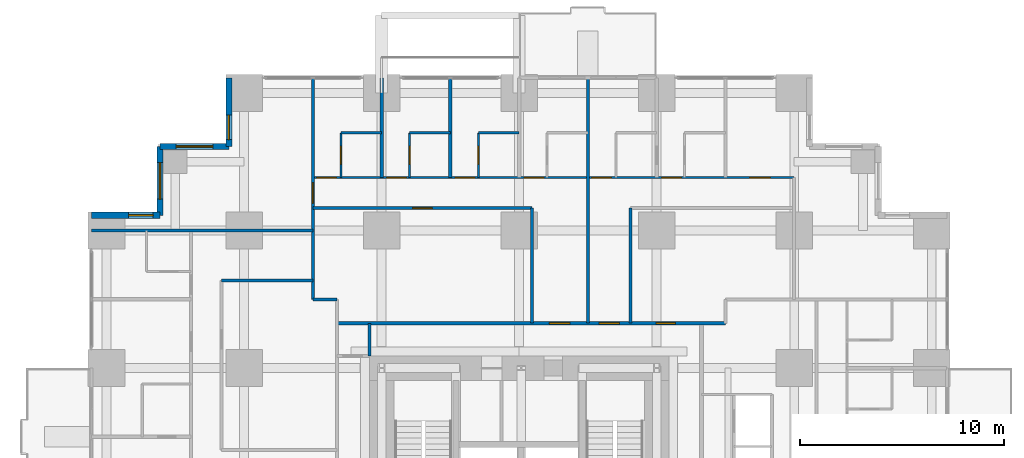
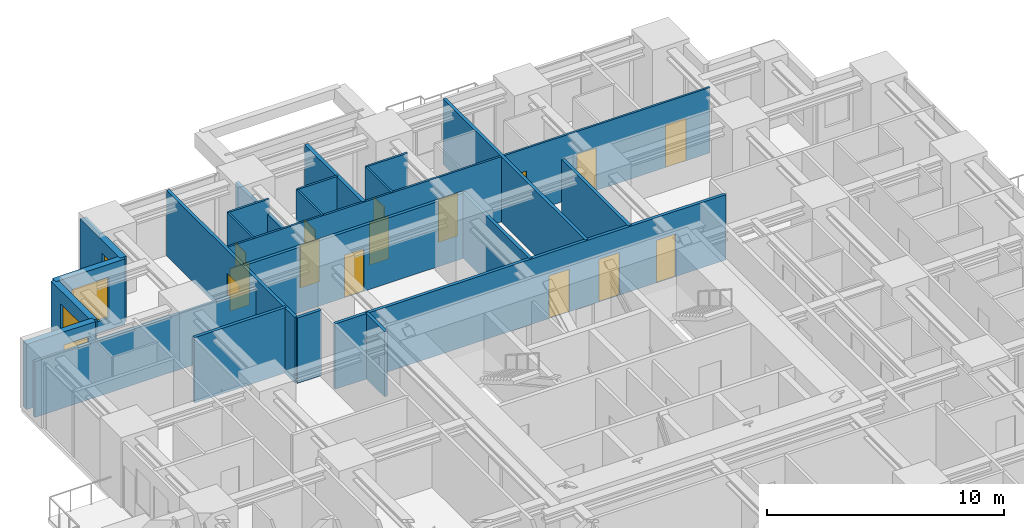
# One storey, part 12 of 14: 23 walls, 15 doors, 4 windows, 19 openings.
"""IFC4 building model written with IfcOpenShell, lengths in metres."""

from ifc_helpers import new_model, si_unit, direction, frame, frame_2d, origin, place, context, subcontext, project, spatial, rectangle, extrude, material, layer, layer_set, type_object, element, fill, save


model = new_model("IFC4")

# Units and contexts
model_context = context("Model", 3, precision=1e-05, world=origin(), true_north=direction((0.0, 1.0)))
body_context = subcontext(model_context, "Body", "Model", "MODEL_VIEW")
ifc_project = project(units=[si_unit("LENGTHUNIT", "METRE"), si_unit("AREAUNIT", "SQUARE_METRE"), si_unit("VOLUMEUNIT", "CUBIC_METRE"), si_unit("PLANEANGLEUNIT", "RADIAN"), si_unit("MASSUNIT", "GRAM", prefix="KILO")], contexts=[model_context])

# Site, building, storey
site_placement = place(None, origin())
site = spatial("IfcSite", under=ifc_project, at=site_placement, CompositionType="ELEMENT")
building_placement = place(site_placement, origin())
building = spatial("IfcBuilding", under=site, at=building_placement, Name="Nyansa Garden Tower", CompositionType="ELEMENT")
storey_placement = place(building_placement, frame((0.0, 0.0, 50.39990234375)))
storey = spatial("IfcBuildingStorey", under=building, at=storey_placement, Name="L13", CompositionType="ELEMENT", Elevation=50.39990234375)

# Walls
ifc_material_1 = material(Name="Dense blockwork, plastered both sides, 55 dB", Category="masonry")
ifc_layer_1 = layer(ifc_material_1, 0.175048828125)
ifc_layer_set_1 = layer_set([ifc_layer_1], Name="Acoustic party wall PW175")
wall_type_1 = type_object("IfcWallType", Name="Acoustic party wall PW175", PredefinedType="PARTITIONING", material=ifc_layer_set_1)
wall_1_placement = place(storey_placement, frame((13.5, 36.35009765625, 0.0), z_axis=(0.0, 0.0, 1.0), x_axis=(0.0, 1.0, 0.0)))
element("IfcWall", 1, at=wall_1_placement, inside=storey, type_object=wall_type_1, Name="Party wall", PredefinedType="PARTITIONING", context=body_context, shape_type="SweptSolid", body=[
    extrude(rectangle(XDim=4.8837890625, YDim=0.175048828125, at=frame_2d((2.44189453125, 0.0))), origin(), (0.0, 0.0, 1.0), 2.610107421875),
])
wall_2_placement = place(storey_placement, frame((16.875, 36.35009765625, 0.0), z_axis=(0.0, 0.0, 1.0), x_axis=(0.0, 1.0, 0.0)))
element("IfcWall", 2, at=wall_2_placement, inside=storey, type_object=wall_type_1, Name="Party wall", PredefinedType="PARTITIONING", context=body_context, shape_type="SweptSolid", body=[
    extrude(rectangle(XDim=4.8837890625, YDim=0.175048828125, at=frame_2d((2.44189453125, 0.0))), origin(), (0.0, 0.0, 1.0), 3.375),
])
ifc_material_2 = material(Name="Blockwork, plastered both sides", Category="masonry")
ifc_layer_2 = layer(ifc_material_2, 0.14990234375)
ifc_layer_set_2 = layer_set([ifc_layer_2], Name="Partition PW150")
wall_type_2 = type_object("IfcWallType", Name="Partition PW150", PredefinedType="PARTITIONING", material=ifc_layer_set_2)
wall_3_placement = place(storey_placement, frame((-0.73388671875, 33.75, 0.0), z_axis=(0.0, 0.0, 1.0), x_axis=(1.0, 0.0, 0.0)))
element("IfcWall", 3, at=wall_3_placement, inside=storey, type_object=wall_type_2, Name="Partition", PredefinedType="PARTITIONING", context=body_context, shape_type="SweptSolid", body=[
    extrude(rectangle(XDim=10.85888671875, YDim=0.14990234375, at=frame_2d((5.429443359375, 0.0))), origin(), (0.0, 0.0, 1.0), 2.877197265625),
])
wall_4_placement = place(storey_placement, frame((5.64990234375, 31.300048828125, 0.0), z_axis=(0.0, 0.0, 1.0), x_axis=(1.0, 0.0, 0.0)))
element("IfcWall", 4, at=wall_4_placement, inside=storey, type_object=wall_type_2, Name="Partition", PredefinedType="PARTITIONING", context=body_context, shape_type="SweptSolid", body=[
    extrude(rectangle(XDim=4.47509765625, YDim=0.14990234375, at=frame_2d((2.237548828125, 0.0))), origin(), (0.0, 0.0, 1.0), 3.375),
])

# Wall, opening, door
wall_5_placement = place(storey_placement, frame((10.125, 30.375, 0.0), z_axis=(0.0, 0.0, 1.0), x_axis=(0.0, 1.0, 0.0)))
wall_5 = element("IfcWall", 5, at=wall_5_placement, inside=storey, type_object=wall_type_2, Name="Partition", PredefinedType="PARTITIONING", context=body_context, shape_type="SweptSolid", body=[
    extrude(rectangle(XDim=10.85888671875, YDim=0.14990234375, at=frame_2d((5.429443359375, 0.0))), origin(), (0.0, 0.0, 1.0), 3.375),
])
opening_1_placement = place(wall_5_placement, frame((4.72509765625, 0.0, 0.0)))
opening_1 = element("IfcOpeningElement", 6, at=opening_1_placement, cuts=wall_5, Name="Opening D03", PredefinedType="OPENING", context=body_context, shape_type="SweptSolid", body=[
    extrude(rectangle(XDim=1.0, YDim=2.199951171875, at=frame_2d((0.5, 1.10009765625))), frame((0.0, 0.0849609375, 0.0), z_axis=(0.0, -1.0, 0.0), x_axis=(1.0, 0.0, 0.0)), (0.0, 0.0, 1.0), 0.169921875),
])
ifc_material_3 = material(Name="Timber flush door, 60 minute fire resisting", Category="wood")
door_type_1 = type_object("IfcDoorType", Name="Cluster entrance door D03 1000x2200", OperationType="SINGLE_SWING_LEFT", PredefinedType="DOOR", material=ifc_material_3)
door_1_placement = place(opening_1_placement, origin())
door_1 = element("IfcDoor", 7, at=door_1_placement, inside=storey, type_object=door_type_1, Name="Door L13-066", OperationType="SINGLE_SWING_LEFT", OverallHeight=2.199951171875, OverallWidth=1.0, PredefinedType="DOOR", context=body_context, shape_type="SweptSolid", body=[
    extrude(rectangle(XDim=1.0, YDim=2.199951171875, at=frame_2d((0.5, 1.10009765625))), frame((0.0, 0.02490234375, 0.0), z_axis=(0.0, -1.0, 0.0), x_axis=(1.0, 0.0, 0.0)), (0.0, 0.0, 1.0), 0.050048828125),
])
fill(opening_1, door_1)

# Wall
wall_6_placement = place(storey_placement, frame((10.125, 30.375, 0.0), z_axis=(0.0, 0.0, 1.0), x_axis=(1.0, 0.0, 0.0)))
element("IfcWall", 8, at=wall_6_placement, inside=storey, type_object=wall_type_2, Name="Partition", PredefinedType="PARTITIONING", context=body_context, shape_type="SweptSolid", body=[
    extrude(rectangle(XDim=1.175048828125, YDim=0.14990234375, at=frame_2d((0.58740234375, 0.0))), origin(), (0.0, 0.0, 1.0), 3.375),
])

# Wall, opening, door
wall_7_placement = place(storey_placement, frame((10.125, 34.85009765625, 0.0), z_axis=(0.0, 0.0, 1.0), x_axis=(1.0, 0.0, 0.0)))
wall_7 = element("IfcWall", 9, at=wall_7_placement, inside=storey, type_object=wall_type_2, Name="Partition", PredefinedType="PARTITIONING", context=body_context, shape_type="SweptSolid", body=[
    extrude(rectangle(XDim=10.762451171875, YDim=0.14990234375, at=frame_2d((5.38134765625, 0.0))), origin(), (0.0, 0.0, 1.0), 3.375),
])
opening_2_placement = place(wall_7_placement, frame((4.89990234375, 0.0, 0.0)))
opening_2 = element("IfcOpeningElement", 10, at=opening_2_placement, cuts=wall_7, Name="Opening D01", PredefinedType="OPENING", context=body_context, shape_type="SweptSolid", body=[
    extrude(rectangle(XDim=0.949951171875, YDim=2.199951171875, at=frame_2d((0.47509765625, 1.10009765625))), frame((0.0, 0.0849609375, 0.0), z_axis=(0.0, -1.0, 0.0), x_axis=(1.0, 0.0, 0.0)), (0.0, 0.0, 1.0), 0.169921875),
])
ifc_material_4 = material(Name="Timber flush door, 30 minute fire resisting", Category="wood")
door_type_2 = type_object("IfcDoorType", Name="Bedroom door D01 950x2200", OperationType="SINGLE_SWING_LEFT", PredefinedType="DOOR", material=ifc_material_4)
door_2_placement = place(opening_2_placement, origin())
door_2 = element("IfcDoor", 11, at=door_2_placement, inside=storey, type_object=door_type_2, Name="Door L13-065", OperationType="SINGLE_SWING_LEFT", OverallHeight=2.199951171875, OverallWidth=0.949951171875, PredefinedType="DOOR", context=body_context, shape_type="SweptSolid", body=[
    extrude(rectangle(XDim=0.949951171875, YDim=2.199951171875, at=frame_2d((0.47509765625, 1.10009765625))), frame((0.0, 0.02490234375, 0.0), z_axis=(0.0, -1.0, 0.0), x_axis=(1.0, 0.0, 0.0)), (0.0, 0.0, 1.0), 0.050048828125),
])
fill(opening_2, door_2)

# Wall, openings, doors
wall_8_placement = place(storey_placement, frame((11.300048828125, 29.199951171875, 0.0), z_axis=(0.0, 0.0, 1.0), x_axis=(1.0, 0.0, 0.0)))
wall_8 = element("IfcWall", 12, at=wall_8_placement, inside=storey, type_object=wall_type_2, Name="Partition", PredefinedType="PARTITIONING", context=body_context, shape_type="SweptSolid", body=[
    extrude(rectangle(XDim=19.074951171875, YDim=0.14990234375, at=frame_2d((9.53759765625, 0.0))), origin(), (0.0, 0.0, 1.0), 3.375),
])
opening_3_placement = place(wall_8_placement, frame((12.875, 0.0, 0.0)))
opening_3 = element("IfcOpeningElement", 13, at=opening_3_placement, cuts=wall_8, Name="Opening D03", PredefinedType="OPENING", context=body_context, shape_type="SweptSolid", body=[
    extrude(rectangle(XDim=1.0, YDim=2.199951171875, at=frame_2d((0.5, 1.10009765625))), frame((0.0, 0.0849609375, 0.0), z_axis=(0.0, -1.0, 0.0), x_axis=(1.0, 0.0, 0.0)), (0.0, 0.0, 1.0), 0.169921875),
])
opening_4_placement = place(wall_8_placement, frame((10.4375, 0.0, 0.0)))
opening_4 = element("IfcOpeningElement", 14, at=opening_4_placement, cuts=wall_8, Name="Opening D03", PredefinedType="OPENING", context=body_context, shape_type="SweptSolid", body=[
    extrude(rectangle(XDim=1.0, YDim=2.199951171875, at=frame_2d((0.5, 1.10009765625))), frame((0.0, 0.0849609375, 0.0), z_axis=(0.0, -1.0, 0.0), x_axis=(1.0, 0.0, 0.0)), (0.0, 0.0, 1.0), 0.169921875),
])
opening_5_placement = place(wall_8_placement, frame((15.675048828125, 0.0, 0.0)))
opening_5 = element("IfcOpeningElement", 15, at=opening_5_placement, cuts=wall_8, Name="Opening D01", PredefinedType="OPENING", context=body_context, shape_type="SweptSolid", body=[
    extrude(rectangle(XDim=0.949951171875, YDim=2.199951171875, at=frame_2d((0.47509765625, 1.10009765625))), frame((0.0, 0.0849609375, 0.0), z_axis=(0.0, -1.0, 0.0), x_axis=(1.0, 0.0, 0.0)), (0.0, 0.0, 1.0), 0.169921875),
])
door_3_placement = place(opening_5_placement, origin())
door_3 = element("IfcDoor", 16, at=door_3_placement, inside=storey, type_object=door_type_2, Name="Door L13-064", OperationType="SINGLE_SWING_LEFT", OverallHeight=2.199951171875, OverallWidth=0.949951171875, PredefinedType="DOOR", context=body_context, shape_type="SweptSolid", body=[
    extrude(rectangle(XDim=0.949951171875, YDim=2.199951171875, at=frame_2d((0.47509765625, 1.10009765625))), frame((0.0, 0.02490234375, 0.0), z_axis=(0.0, -1.0, 0.0), x_axis=(1.0, 0.0, 0.0)), (0.0, 0.0, 1.0), 0.050048828125),
])
fill(opening_5, door_3)
door_4_placement = place(opening_3_placement, origin())
door_4 = element("IfcDoor", 17, at=door_4_placement, inside=storey, type_object=door_type_1, Name="Door L13-054", OperationType="SINGLE_SWING_LEFT", OverallHeight=2.199951171875, OverallWidth=1.0, PredefinedType="DOOR", context=body_context, shape_type="SweptSolid", body=[
    extrude(rectangle(XDim=1.0, YDim=2.199951171875, at=frame_2d((0.5, 1.10009765625))), frame((0.0, 0.02490234375, 0.0), z_axis=(0.0, -1.0, 0.0), x_axis=(1.0, 0.0, 0.0)), (0.0, 0.0, 1.0), 0.050048828125),
])
fill(opening_3, door_4)
door_5_placement = place(opening_4_placement, origin())
door_5 = element("IfcDoor", 18, at=door_5_placement, inside=storey, type_object=door_type_1, Name="Door L13-063", OperationType="SINGLE_SWING_LEFT", OverallHeight=2.199951171875, OverallWidth=1.0, PredefinedType="DOOR", context=body_context, shape_type="SweptSolid", body=[
    extrude(rectangle(XDim=1.0, YDim=2.199951171875, at=frame_2d((0.5, 1.10009765625))), frame((0.0, 0.02490234375, 0.0), z_axis=(0.0, -1.0, 0.0), x_axis=(1.0, 0.0, 0.0)), (0.0, 0.0, 1.0), 0.050048828125),
])
fill(opening_4, door_5)

# Walls
wall_9_placement = place(storey_placement, frame((12.89990234375, 27.60009765625, 0.0), z_axis=(0.0, 0.0, 1.0), x_axis=(0.0, 1.0, 0.0)))
element("IfcWall", 19, at=wall_9_placement, inside=storey, type_object=wall_type_2, Name="Partition", PredefinedType="PARTITIONING", context=body_context, shape_type="SweptSolid", body=[
    extrude(rectangle(XDim=1.599853515625, YDim=0.14990234375, at=frame_2d((0.7998046875, 0.0))), origin(), (0.0, 0.0, 1.0), 3.375),
])
wall_10_placement = place(storey_placement, frame((20.886962890625, 29.199951171875, 0.0), z_axis=(0.0, 0.0, 1.0), x_axis=(0.0, 1.0, 0.0)))
element("IfcWall", 20, at=wall_10_placement, inside=storey, type_object=wall_type_2, Name="Partition", PredefinedType="PARTITIONING", context=body_context, shape_type="SweptSolid", body=[
    extrude(rectangle(XDim=5.650146484375, YDim=0.14990234375, at=frame_2d((2.8251953125, 0.0))), origin(), (0.0, 0.0, 1.0), 3.375),
])
wall_11_placement = place(storey_placement, frame((23.625, 29.199951171875, 0.0), z_axis=(0.0, 0.0, 1.0), x_axis=(0.0, 1.0, 0.0)))
element("IfcWall", 21, at=wall_11_placement, inside=storey, type_object=wall_type_2, Name="Partition", PredefinedType="PARTITIONING", context=body_context, shape_type="SweptSolid", body=[
    extrude(rectangle(XDim=12.033935546875, YDim=0.14990234375, at=frame_2d((6.01708984375, 0.0))), origin(), (0.0, 0.0, 1.0), 3.375),
])
wall_12_placement = place(storey_placement, frame((25.72509765625, 29.199951171875, 0.0), z_axis=(0.0, 0.0, 1.0), x_axis=(0.0, 1.0, 0.0)))
element("IfcWall", 22, at=wall_12_placement, inside=storey, type_object=wall_type_2, Name="Partition", PredefinedType="PARTITIONING", context=body_context, shape_type="SweptSolid", body=[
    extrude(rectangle(XDim=5.650146484375, YDim=0.14990234375, at=frame_2d((2.8251953125, 0.0))), origin(), (0.0, 0.0, 1.0), 3.375),
])

# Wall, opening, window
ifc_material_5 = material(Name="Turquoise glazed tile on concrete blockwork", Category="masonry")
ifc_layer_3 = layer(ifc_material_5, 0.300048828125)
ifc_layer_set_3 = layer_set([ifc_layer_3], Name="Tiled corner wall TW300")
wall_type_3 = type_object("IfcWallType", Name="Tiled corner wall TW300", PredefinedType="SOLIDWALL", material=ifc_layer_set_3)
wall_13_placement = place(storey_placement, frame((6.0, 41.25, 0.0), z_axis=(0.0, 0.0, 1.0), x_axis=(0.0, -1.0, 0.0)))
wall_13 = element("IfcWall", 23, at=wall_13_placement, inside=storey, type_object=wall_type_3, Name="Tiled corner wall L13", PredefinedType="SOLIDWALL", context=body_context, shape_type="SweptSolid", body=[
    extrude(rectangle(XDim=3.375, YDim=0.300048828125, at=frame_2d((1.6875, 0.0))), origin(), (0.0, 0.0, 1.0), 3.375),
])
opening_6_placement = place(wall_13_placement, frame((1.83251953125, 0.0, 0.89990234375)))
opening_6 = element("IfcOpeningElement", 24, at=opening_6_placement, cuts=wall_13, Name="Opening W4", PredefinedType="OPENING", context=body_context, shape_type="SweptSolid", body=[
    extrude(rectangle(XDim=1.199951171875, YDim=1.800048828125, at=frame_2d((0.60009765625, 0.89990234375))), frame((0.0, 0.159912109375, 0.0), z_axis=(0.0, -1.0, 0.0), x_axis=(1.0, 0.0, 0.0)), (0.0, 0.0, 1.0), 0.320068359375),
])
ifc_material_6 = material(Name="Black aluminium frame, dark tinted double glazing", Category="aluminium")
window_type_1 = type_object("IfcWindowType", Name="Window W4 1200x1800", PartitioningType="SINGLE_PANEL", PredefinedType="WINDOW", material=ifc_material_6)
window_1_placement = place(opening_6_placement, origin())
window_1 = element("IfcWindow", 25, at=window_1_placement, inside=storey, type_object=window_type_1, Name="Corner window L13", OverallHeight=1.800048828125, OverallWidth=1.199951171875, PartitioningType="SINGLE_PANEL", PredefinedType="WINDOW", context=body_context, shape_type="SweptSolid", body=[
    extrude(rectangle(XDim=1.199951171875, YDim=1.800048828125, at=frame_2d((0.60009765625, 0.89990234375))), frame((0.0, 0.030029296875, 0.0), z_axis=(0.0, -1.0, 0.0), x_axis=(1.0, 0.0, 0.0)), (0.0, 0.0, 1.0), 0.06005859375),
])
fill(opening_6, window_1)

wall_14_placement = place(storey_placement, frame((6.0, 37.875, 0.0), z_axis=(0.0, 0.0, 1.0), x_axis=(-1.0, 0.0, 0.0)))
wall_14 = element("IfcWall", 26, at=wall_14_placement, inside=storey, type_object=wall_type_3, Name="Tiled corner wall L13", PredefinedType="SOLIDWALL", context=body_context, shape_type="SweptSolid", body=[
    extrude(rectangle(XDim=3.375, YDim=0.300048828125, at=frame_2d((1.6875, 0.0))), origin(), (0.0, 0.0, 1.0), 3.375),
])
opening_7_placement = place(wall_14_placement, frame((0.78759765625, 0.0, 0.60009765625)))
opening_7 = element("IfcOpeningElement", 27, at=opening_7_placement, cuts=wall_14, Name="Opening W2", PredefinedType="OPENING", context=body_context, shape_type="SweptSolid", body=[
    extrude(rectangle(XDim=1.800048828125, YDim=2.10009765625, at=frame_2d((0.89990234375, 1.050048828125))), frame((0.0, 0.159912109375, 0.0), z_axis=(0.0, -1.0, 0.0), x_axis=(1.0, 0.0, 0.0)), (0.0, 0.0, 1.0), 0.320068359375),
])
ifc_material_7 = material(Name="Black aluminium frame, dark tinted double glazing", Category="aluminium")
window_type_2 = type_object("IfcWindowType", Name="Window W2 1800x2100", PartitioningType="SINGLE_PANEL", PredefinedType="WINDOW", material=ifc_material_7)
window_2_placement = place(opening_7_placement, origin())
window_2 = element("IfcWindow", 28, at=window_2_placement, inside=storey, type_object=window_type_2, Name="Corner window L13", OverallHeight=2.10009765625, OverallWidth=1.800048828125, PartitioningType="SINGLE_PANEL", PredefinedType="WINDOW", context=body_context, shape_type="SweptSolid", body=[
    extrude(rectangle(XDim=1.800048828125, YDim=2.10009765625, at=frame_2d((0.89990234375, 1.050048828125))), frame((0.0, 0.030029296875, 0.0), z_axis=(0.0, -1.0, 0.0), x_axis=(1.0, 0.0, 0.0)), (0.0, 0.0, 1.0), 0.06005859375),
])
fill(opening_7, window_2)

wall_15_placement = place(storey_placement, frame((2.625, 37.875, 0.0), z_axis=(0.0, 0.0, 1.0), x_axis=(0.0, -1.0, 0.0)))
wall_15 = element("IfcWall", 29, at=wall_15_placement, inside=storey, type_object=wall_type_3, Name="Tiled corner wall L13", PredefinedType="SOLIDWALL", context=body_context, shape_type="SweptSolid", body=[
    extrude(rectangle(XDim=3.375, YDim=0.300048828125, at=frame_2d((1.6875, 0.0))), origin(), (0.0, 0.0, 1.0), 3.375),
])
opening_8_placement = place(wall_15_placement, frame((0.78759765625, 0.0, 0.60009765625)))
opening_8 = element("IfcOpeningElement", 30, at=opening_8_placement, cuts=wall_15, Name="Opening W2", PredefinedType="OPENING", context=body_context, shape_type="SweptSolid", body=[
    extrude(rectangle(XDim=1.800048828125, YDim=2.10009765625, at=frame_2d((0.89990234375, 1.050048828125))), frame((0.0, 0.159912109375, 0.0), z_axis=(0.0, -1.0, 0.0), x_axis=(1.0, 0.0, 0.0)), (0.0, 0.0, 1.0), 0.320068359375),
])
window_3_placement = place(opening_8_placement, origin())
window_3 = element("IfcWindow", 31, at=window_3_placement, inside=storey, type_object=window_type_2, Name="Corner window L13", OverallHeight=2.10009765625, OverallWidth=1.800048828125, PartitioningType="SINGLE_PANEL", PredefinedType="WINDOW", context=body_context, shape_type="SweptSolid", body=[
    extrude(rectangle(XDim=1.800048828125, YDim=2.10009765625, at=frame_2d((0.89990234375, 1.050048828125))), frame((0.0, 0.030029296875, 0.0), z_axis=(0.0, -1.0, 0.0), x_axis=(1.0, 0.0, 0.0)), (0.0, 0.0, 1.0), 0.06005859375),
])
fill(opening_8, window_3)

wall_16_placement = place(storey_placement, frame((2.625, 34.5, 0.0), z_axis=(0.0, 0.0, 1.0), x_axis=(-1.0, 0.0, 0.0)))
wall_16 = element("IfcWall", 32, at=wall_16_placement, inside=storey, type_object=wall_type_3, Name="Tiled corner wall L13", PredefinedType="SOLIDWALL", context=body_context, shape_type="SweptSolid", body=[
    extrude(rectangle(XDim=3.375, YDim=0.300048828125, at=frame_2d((1.6875, 0.0))), origin(), (0.0, 0.0, 1.0), 3.375),
])
opening_9_placement = place(wall_16_placement, frame((0.342529296875, 0.0, 0.89990234375)))
opening_9 = element("IfcOpeningElement", 33, at=opening_9_placement, cuts=wall_16, Name="Opening W4", PredefinedType="OPENING", context=body_context, shape_type="SweptSolid", body=[
    extrude(rectangle(XDim=1.199951171875, YDim=1.800048828125, at=frame_2d((0.60009765625, 0.89990234375))), frame((0.0, 0.159912109375, 0.0), z_axis=(0.0, -1.0, 0.0), x_axis=(1.0, 0.0, 0.0)), (0.0, 0.0, 1.0), 0.320068359375),
])
window_4_placement = place(opening_9_placement, origin())
window_4 = element("IfcWindow", 34, at=window_4_placement, inside=storey, type_object=window_type_1, Name="Corner window L13", OverallHeight=1.800048828125, OverallWidth=1.199951171875, PartitioningType="SINGLE_PANEL", PredefinedType="WINDOW", context=body_context, shape_type="SweptSolid", body=[
    extrude(rectangle(XDim=1.199951171875, YDim=1.800048828125, at=frame_2d((0.60009765625, 0.89990234375))), frame((0.0, 0.030029296875, 0.0), z_axis=(0.0, -1.0, 0.0), x_axis=(1.0, 0.0, 0.0)), (0.0, 0.0, 1.0), 0.06005859375),
])
fill(opening_9, window_4)

# Wall, openings, doors
ifc_material_8 = material(Name="Moisture resistant board on steel studs, tiled", Category="steel")
ifc_layer_4 = layer(ifc_material_8, 0.10009765625)
ifc_layer_set_4 = layer_set([ifc_layer_4], Name="Wet wall PW100")
wall_type_4 = type_object("IfcWallType", Name="Wet wall PW100", PredefinedType="PARTITIONING", material=ifc_layer_set_4)
wall_17_placement = place(storey_placement, frame((10.125, 36.35009765625, 0.0), z_axis=(0.0, 0.0, 1.0), x_axis=(1.0, 0.0, 0.0)))
wall_17 = element("IfcWall", 35, at=wall_17_placement, inside=storey, type_object=wall_type_4, Name="Wet wall", PredefinedType="PARTITIONING", context=body_context, shape_type="SweptSolid", body=[
    extrude(rectangle(XDim=23.625, YDim=0.10009765625, at=frame_2d((11.8125, 0.0))), origin(), (0.0, 0.0, 1.0), 3.375),
])
opening_10_placement = place(wall_17_placement, frame((21.449951171875, 0.0, 0.0)))
opening_10 = element("IfcOpeningElement", 36, at=opening_10_placement, cuts=wall_17, Name="Opening D03", PredefinedType="OPENING", context=body_context, shape_type="SweptSolid", body=[
    extrude(rectangle(XDim=1.0, YDim=2.199951171875, at=frame_2d((0.5, 1.10009765625))), frame((0.0, 0.06005859375, 0.0), z_axis=(0.0, -1.0, 0.0), x_axis=(1.0, 0.0, 0.0)), (0.0, 0.0, 1.0), 0.1201171875),
])
opening_11_placement = place(wall_17_placement, frame((17.125, 0.0, 0.0)))
opening_11 = element("IfcOpeningElement", 37, at=opening_11_placement, cuts=wall_17, Name="Opening D01", PredefinedType="OPENING", context=body_context, shape_type="SweptSolid", body=[
    extrude(rectangle(XDim=0.949951171875, YDim=2.199951171875, at=frame_2d((0.47509765625, 1.10009765625))), frame((0.0, 0.06005859375, 0.0), z_axis=(0.0, -1.0, 0.0), x_axis=(1.0, 0.0, 0.0)), (0.0, 0.0, 1.0), 0.1201171875),
])
opening_12_placement = place(wall_17_placement, frame((13.699951171875, 0.0, 0.0)))
opening_12 = element("IfcOpeningElement", 38, at=opening_12_placement, cuts=wall_17, Name="Opening D01", PredefinedType="OPENING", context=body_context, shape_type="SweptSolid", body=[
    extrude(rectangle(XDim=0.949951171875, YDim=2.199951171875, at=frame_2d((0.47509765625, 1.10009765625))), frame((0.0, 0.06005859375, 0.0), z_axis=(0.0, -1.0, 0.0), x_axis=(1.0, 0.0, 0.0)), (0.0, 0.0, 1.0), 0.1201171875),
])
opening_13_placement = place(wall_17_placement, frame((0.199951171875, 0.0, 0.0)))
opening_13 = element("IfcOpeningElement", 39, at=opening_13_placement, cuts=wall_17, Name="Opening D14", PredefinedType="OPENING", context=body_context, shape_type="SweptSolid", body=[
    extrude(rectangle(XDim=0.949951171875, YDim=2.199951171875, at=frame_2d((0.47509765625, 1.10009765625))), frame((0.0, 0.06005859375, 0.0), z_axis=(0.0, -1.0, 0.0), x_axis=(1.0, 0.0, 0.0)), (0.0, 0.0, 1.0), 0.1201171875),
])
opening_14_placement = place(wall_17_placement, frame((3.625, 0.0, 0.0)))
opening_14 = element("IfcOpeningElement", 40, at=opening_14_placement, cuts=wall_17, Name="Opening D14", PredefinedType="OPENING", context=body_context, shape_type="SweptSolid", body=[
    extrude(rectangle(XDim=0.949951171875, YDim=2.199951171875, at=frame_2d((0.47509765625, 1.10009765625))), frame((0.0, 0.06005859375, 0.0), z_axis=(0.0, -1.0, 0.0), x_axis=(1.0, 0.0, 0.0)), (0.0, 0.0, 1.0), 0.1201171875),
])
opening_15_placement = place(wall_17_placement, frame((7.0, 0.0, 0.0)))
opening_15 = element("IfcOpeningElement", 41, at=opening_15_placement, cuts=wall_17, Name="Opening D14", PredefinedType="OPENING", context=body_context, shape_type="SweptSolid", body=[
    extrude(rectangle(XDim=0.949951171875, YDim=2.199951171875, at=frame_2d((0.47509765625, 1.10009765625))), frame((0.0, 0.06005859375, 0.0), z_axis=(0.0, -1.0, 0.0), x_axis=(1.0, 0.0, 0.0)), (0.0, 0.0, 1.0), 0.1201171875),
])
opening_16_placement = place(wall_17_placement, frame((10.375, 0.0, 0.0)))
opening_16 = element("IfcOpeningElement", 42, at=opening_16_placement, cuts=wall_17, Name="Opening D14", PredefinedType="OPENING", context=body_context, shape_type="SweptSolid", body=[
    extrude(rectangle(XDim=0.949951171875, YDim=2.199951171875, at=frame_2d((0.47509765625, 1.10009765625))), frame((0.0, 0.06005859375, 0.0), z_axis=(0.0, -1.0, 0.0), x_axis=(1.0, 0.0, 0.0)), (0.0, 0.0, 1.0), 0.1201171875),
])
door_6_placement = place(opening_11_placement, origin())
door_6 = element("IfcDoor", 43, at=door_6_placement, inside=storey, type_object=door_type_2, Name="Door L13-050", OperationType="SINGLE_SWING_LEFT", OverallHeight=2.199951171875, OverallWidth=0.949951171875, PredefinedType="DOOR", context=body_context, shape_type="SweptSolid", body=[
    extrude(rectangle(XDim=0.949951171875, YDim=2.199951171875, at=frame_2d((0.47509765625, 1.10009765625))), frame((0.0, 0.02490234375, 0.0), z_axis=(0.0, -1.0, 0.0), x_axis=(1.0, 0.0, 0.0)), (0.0, 0.0, 1.0), 0.050048828125),
])
fill(opening_11, door_6)
door_7_placement = place(opening_12_placement, origin())
door_7 = element("IfcDoor", 44, at=door_7_placement, inside=storey, type_object=door_type_2, Name="Door L13-052", OperationType="SINGLE_SWING_LEFT", OverallHeight=2.199951171875, OverallWidth=0.949951171875, PredefinedType="DOOR", context=body_context, shape_type="SweptSolid", body=[
    extrude(rectangle(XDim=0.949951171875, YDim=2.199951171875, at=frame_2d((0.47509765625, 1.10009765625))), frame((0.0, 0.02490234375, 0.0), z_axis=(0.0, -1.0, 0.0), x_axis=(1.0, 0.0, 0.0)), (0.0, 0.0, 1.0), 0.050048828125),
])
fill(opening_12, door_7)
door_8_placement = place(opening_10_placement, origin())
door_8 = element("IfcDoor", 45, at=door_8_placement, inside=storey, type_object=door_type_1, Name="Door L13-049", OperationType="SINGLE_SWING_LEFT", OverallHeight=2.199951171875, OverallWidth=1.0, PredefinedType="DOOR", context=body_context, shape_type="SweptSolid", body=[
    extrude(rectangle(XDim=1.0, YDim=2.199951171875, at=frame_2d((0.5, 1.10009765625))), frame((0.0, 0.02490234375, 0.0), z_axis=(0.0, -1.0, 0.0), x_axis=(1.0, 0.0, 0.0)), (0.0, 0.0, 1.0), 0.050048828125),
])
fill(opening_10, door_8)
ifc_material_9 = material(Name="Timber flush door, 60 minute fire resisting, self-closing", Category="wood")
door_type_3 = type_object("IfcDoorType", Name="Studio entrance door D14 950x2200", OperationType="SINGLE_SWING_LEFT", PredefinedType="DOOR", material=ifc_material_9)
door_9_placement = place(opening_13_placement, origin())
door_9 = element("IfcDoor", 46, at=door_9_placement, inside=storey, type_object=door_type_3, Name="Door L13-055", OperationType="SINGLE_SWING_LEFT", OverallHeight=2.199951171875, OverallWidth=0.949951171875, PredefinedType="DOOR", context=body_context, shape_type="SweptSolid", body=[
    extrude(rectangle(XDim=0.949951171875, YDim=2.199951171875, at=frame_2d((0.47509765625, 1.10009765625))), frame((0.0, 0.02490234375, 0.0), z_axis=(0.0, -1.0, 0.0), x_axis=(1.0, 0.0, 0.0)), (0.0, 0.0, 1.0), 0.050048828125),
])
fill(opening_13, door_9)
door_10_placement = place(opening_14_placement, origin())
door_10 = element("IfcDoor", 47, at=door_10_placement, inside=storey, type_object=door_type_3, Name="Door L13-057", OperationType="SINGLE_SWING_LEFT", OverallHeight=2.199951171875, OverallWidth=0.949951171875, PredefinedType="DOOR", context=body_context, shape_type="SweptSolid", body=[
    extrude(rectangle(XDim=0.949951171875, YDim=2.199951171875, at=frame_2d((0.47509765625, 1.10009765625))), frame((0.0, 0.02490234375, 0.0), z_axis=(0.0, -1.0, 0.0), x_axis=(1.0, 0.0, 0.0)), (0.0, 0.0, 1.0), 0.050048828125),
])
fill(opening_14, door_10)
door_11_placement = place(opening_15_placement, origin())
door_11 = element("IfcDoor", 48, at=door_11_placement, inside=storey, type_object=door_type_3, Name="Door L13-059", OperationType="SINGLE_SWING_LEFT", OverallHeight=2.199951171875, OverallWidth=0.949951171875, PredefinedType="DOOR", context=body_context, shape_type="SweptSolid", body=[
    extrude(rectangle(XDim=0.949951171875, YDim=2.199951171875, at=frame_2d((0.47509765625, 1.10009765625))), frame((0.0, 0.02490234375, 0.0), z_axis=(0.0, -1.0, 0.0), x_axis=(1.0, 0.0, 0.0)), (0.0, 0.0, 1.0), 0.050048828125),
])
fill(opening_15, door_11)
door_12_placement = place(opening_16_placement, origin())
door_12 = element("IfcDoor", 49, at=door_12_placement, inside=storey, type_object=door_type_3, Name="Door L13-061", OperationType="SINGLE_SWING_LEFT", OverallHeight=2.199951171875, OverallWidth=0.949951171875, PredefinedType="DOOR", context=body_context, shape_type="SweptSolid", body=[
    extrude(rectangle(XDim=0.949951171875, YDim=2.199951171875, at=frame_2d((0.47509765625, 1.10009765625))), frame((0.0, 0.02490234375, 0.0), z_axis=(0.0, -1.0, 0.0), x_axis=(1.0, 0.0, 0.0)), (0.0, 0.0, 1.0), 0.050048828125),
])
fill(opening_16, door_12)

# Wall, opening, door
wall_18_placement = place(storey_placement, frame((11.5, 36.35009765625, 0.0), z_axis=(0.0, 0.0, 1.0), x_axis=(0.0, 1.0, 0.0)))
wall_18 = element("IfcWall", 50, at=wall_18_placement, inside=storey, type_object=wall_type_4, Name="Wet wall", PredefinedType="PARTITIONING", context=body_context, shape_type="SweptSolid", body=[
    extrude(rectangle(XDim=2.199951171875, YDim=0.10009765625, at=frame_2d((1.10009765625, 0.0))), origin(), (0.0, 0.0, 1.0), 3.375),
])
opening_17_placement = place(wall_18_placement, frame((0.64990234375, 0.0, 0.0)))
opening_17 = element("IfcOpeningElement", 51, at=opening_17_placement, cuts=wall_18, Name="Opening D02", PredefinedType="OPENING", context=body_context, shape_type="SweptSolid", body=[
    extrude(rectangle(XDim=0.89990234375, YDim=2.199951171875, at=frame_2d((0.449951171875, 1.10009765625))), frame((0.0, 0.06005859375, 0.0), z_axis=(0.0, -1.0, 0.0), x_axis=(1.0, 0.0, 0.0)), (0.0, 0.0, 1.0), 0.1201171875),
])
ifc_material_10 = material(Name="Timber flush door", Category="wood")
door_type_4 = type_object("IfcDoorType", Name="En-suite door D02 900x2200", OperationType="SINGLE_SWING_RIGHT", PredefinedType="DOOR", material=ifc_material_10)
door_13_placement = place(opening_17_placement, origin())
door_13 = element("IfcDoor", 52, at=door_13_placement, inside=storey, type_object=door_type_4, Name="Door L13-056", OperationType="SINGLE_SWING_RIGHT", OverallHeight=2.199951171875, OverallWidth=0.89990234375, PredefinedType="DOOR", context=body_context, shape_type="SweptSolid", body=[
    extrude(rectangle(XDim=0.89990234375, YDim=2.199951171875, at=frame_2d((0.449951171875, 1.10009765625))), frame((0.0, 0.02490234375, 0.0), z_axis=(0.0, -1.0, 0.0), x_axis=(1.0, 0.0, 0.0)), (0.0, 0.0, 1.0), 0.050048828125),
])
fill(opening_17, door_13)

# Wall
wall_19_placement = place(storey_placement, frame((11.5, 38.550048828125, 0.0), z_axis=(0.0, 0.0, 1.0), x_axis=(1.0, 0.0, 0.0)))
element("IfcWall", 53, at=wall_19_placement, inside=storey, type_object=wall_type_4, Name="Wet wall", PredefinedType="PARTITIONING", context=body_context, shape_type="SweptSolid", body=[
    extrude(rectangle(XDim=2.0, YDim=0.10009765625, at=frame_2d((1.0, 0.0))), origin(), (0.0, 0.0, 1.0), 3.375),
])

# Wall, opening, door
wall_20_placement = place(storey_placement, frame((14.875, 36.35009765625, 0.0), z_axis=(0.0, 0.0, 1.0), x_axis=(0.0, 1.0, 0.0)))
wall_20 = element("IfcWall", 54, at=wall_20_placement, inside=storey, type_object=wall_type_4, Name="Wet wall", PredefinedType="PARTITIONING", context=body_context, shape_type="SweptSolid", body=[
    extrude(rectangle(XDim=2.199951171875, YDim=0.10009765625, at=frame_2d((1.10009765625, 0.0))), origin(), (0.0, 0.0, 1.0), 3.375),
])
opening_18_placement = place(wall_20_placement, frame((0.64990234375, 0.0, 0.0)))
opening_18 = element("IfcOpeningElement", 55, at=opening_18_placement, cuts=wall_20, Name="Opening D02", PredefinedType="OPENING", context=body_context, shape_type="SweptSolid", body=[
    extrude(rectangle(XDim=0.89990234375, YDim=2.199951171875, at=frame_2d((0.449951171875, 1.10009765625))), frame((0.0, 0.06005859375, 0.0), z_axis=(0.0, -1.0, 0.0), x_axis=(1.0, 0.0, 0.0)), (0.0, 0.0, 1.0), 0.1201171875),
])
door_14_placement = place(opening_18_placement, origin())
door_14 = element("IfcDoor", 56, at=door_14_placement, inside=storey, type_object=door_type_4, Name="Door L13-058", OperationType="SINGLE_SWING_RIGHT", OverallHeight=2.199951171875, OverallWidth=0.89990234375, PredefinedType="DOOR", context=body_context, shape_type="SweptSolid", body=[
    extrude(rectangle(XDim=0.89990234375, YDim=2.199951171875, at=frame_2d((0.449951171875, 1.10009765625))), frame((0.0, 0.02490234375, 0.0), z_axis=(0.0, -1.0, 0.0), x_axis=(1.0, 0.0, 0.0)), (0.0, 0.0, 1.0), 0.050048828125),
])
fill(opening_18, door_14)

# Wall
wall_21_placement = place(storey_placement, frame((14.875, 38.550048828125, 0.0), z_axis=(0.0, 0.0, 1.0), x_axis=(1.0, 0.0, 0.0)))
element("IfcWall", 57, at=wall_21_placement, inside=storey, type_object=wall_type_4, Name="Wet wall", PredefinedType="PARTITIONING", context=body_context, shape_type="SweptSolid", body=[
    extrude(rectangle(XDim=2.0, YDim=0.10009765625, at=frame_2d((1.0, 0.0))), origin(), (0.0, 0.0, 1.0), 3.375),
])

# Wall, opening, door
wall_22_placement = place(storey_placement, frame((18.25, 36.35009765625, 0.0), z_axis=(0.0, 0.0, 1.0), x_axis=(0.0, 1.0, 0.0)))
wall_22 = element("IfcWall", 58, at=wall_22_placement, inside=storey, type_object=wall_type_4, Name="Wet wall", PredefinedType="PARTITIONING", context=body_context, shape_type="SweptSolid", body=[
    extrude(rectangle(XDim=2.199951171875, YDim=0.10009765625, at=frame_2d((1.10009765625, 0.0))), origin(), (0.0, 0.0, 1.0), 3.375),
])
opening_19_placement = place(wall_22_placement, frame((0.64990234375, 0.0, 0.0)))
opening_19 = element("IfcOpeningElement", 59, at=opening_19_placement, cuts=wall_22, Name="Opening D02", PredefinedType="OPENING", context=body_context, shape_type="SweptSolid", body=[
    extrude(rectangle(XDim=0.89990234375, YDim=2.199951171875, at=frame_2d((0.449951171875, 1.10009765625))), frame((0.0, 0.06005859375, 0.0), z_axis=(0.0, -1.0, 0.0), x_axis=(1.0, 0.0, 0.0)), (0.0, 0.0, 1.0), 0.1201171875),
])
door_15_placement = place(opening_19_placement, origin())
door_15 = element("IfcDoor", 60, at=door_15_placement, inside=storey, type_object=door_type_4, Name="Door L13-060", OperationType="SINGLE_SWING_RIGHT", OverallHeight=2.199951171875, OverallWidth=0.89990234375, PredefinedType="DOOR", context=body_context, shape_type="SweptSolid", body=[
    extrude(rectangle(XDim=0.89990234375, YDim=2.199951171875, at=frame_2d((0.449951171875, 1.10009765625))), frame((0.0, 0.02490234375, 0.0), z_axis=(0.0, -1.0, 0.0), x_axis=(1.0, 0.0, 0.0)), (0.0, 0.0, 1.0), 0.050048828125),
])
fill(opening_19, door_15)

# Wall
wall_23_placement = place(storey_placement, frame((18.25, 38.550048828125, 0.0), z_axis=(0.0, 0.0, 1.0), x_axis=(1.0, 0.0, 0.0)))
element("IfcWall", 61, at=wall_23_placement, inside=storey, type_object=wall_type_4, Name="Wet wall", PredefinedType="PARTITIONING", context=body_context, shape_type="SweptSolid", body=[
    extrude(rectangle(XDim=2.0, YDim=0.10009765625, at=frame_2d((1.0, 0.0))), origin(), (0.0, 0.0, 1.0), 3.375),
])

save(model, "model.ifc")
